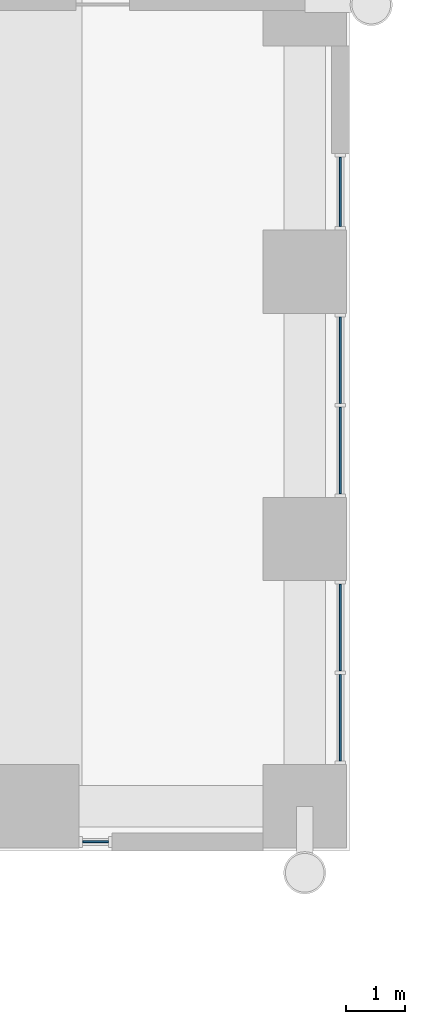
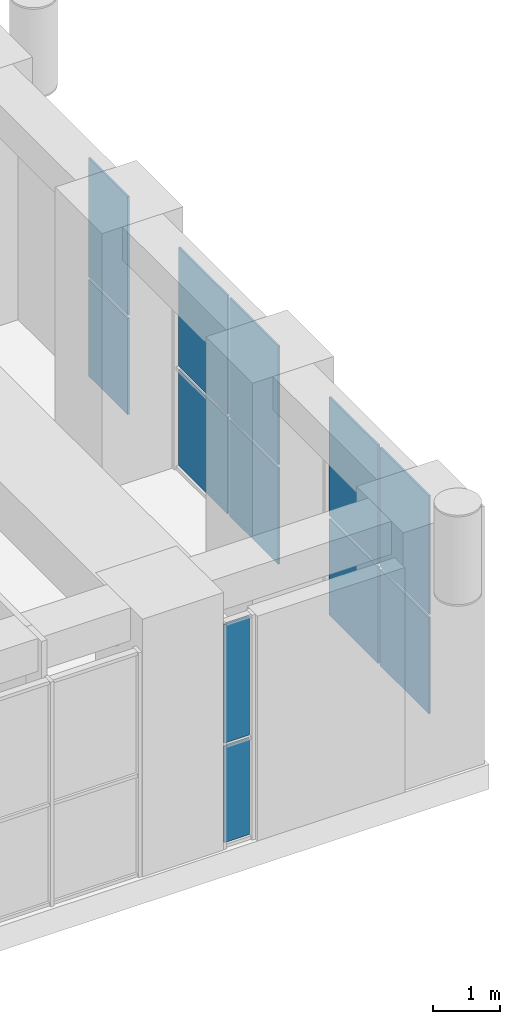
# One storey, part 16 of 35: 12 plates, 4 elements without a shape of their own.
"""IFC4 building model written with IfcOpenShell, lengths in metres."""

from ifc_helpers import new_model, si_unit, direction, frame, origin, origin_2d, place, context, subcontext, project, spatial, rectangle, extrude, material, layer, layer_set, type_object, element, aggregate, save


model = new_model("IFC4")

# Units and contexts
model_context = context("Model", 3, precision=1e-05, world=origin(), true_north=direction((0.0, 1.0)))
body_context = subcontext(model_context, "Body", "Model", "MODEL_VIEW")
ifc_project = project(units=[si_unit("LENGTHUNIT", "METRE"), si_unit("AREAUNIT", "SQUARE_METRE"), si_unit("VOLUMEUNIT", "CUBIC_METRE"), si_unit("PLANEANGLEUNIT", "RADIAN"), si_unit("MASSUNIT", "GRAM", prefix="KILO")], contexts=[model_context])

# Site, building, storey
site_placement = place(None, origin())
site = spatial("IfcSite", under=ifc_project, at=site_placement, CompositionType="ELEMENT")
building_placement = place(site_placement, origin())
building = spatial("IfcBuilding", under=site, at=building_placement, Name="Firuza Court", CompositionType="ELEMENT")
storey_placement = place(building_placement, frame((0.0, 0.0, 24.0)))
storey = spatial("IfcBuildingStorey", under=building, at=storey_placement, Name="L04", CompositionType="ELEMENT", Elevation=24.0)

# Curtain wall, plates
ifc_material_1 = material(Name="Aluminium curtain wall, triple clear glazing", Category="aluminium")
curtain_wall_type = type_object("IfcCurtainWallType", Name="Podium unitised curtain wall CW1", PredefinedType="NOTDEFINED", material=ifc_material_1)
curtain_wall_1_placement = place(storey_placement, origin())
curtain_wall_1 = element("IfcCurtainWall", 1, at=curtain_wall_1_placement, inside=storey, type_object=curtain_wall_type, Name="Podium unitised curtain wall CW1 L04", PredefinedType="NOTDEFINED")
ifc_material_2 = material(Name="Triple clear glazing", Category="glass")
ifc_layer = layer(ifc_material_2, 0.031982421875)
ifc_layer_set = layer_set([ifc_layer], Name="Triple clear glazing")
plate_type = type_object("IfcPlateType", Name="Glazed panel 32 CW1", PredefinedType="CURTAIN_PANEL", material=ifc_layer_set)
plate_1_placement = place(storey_placement, frame((63.978515625, 35.39990234375, 0.06005859375), z_axis=(0.0, 0.0, 1.0), x_axis=(1.0, 0.0, 0.0)))
plate_1 = element("IfcPlate", 2, at=plate_1_placement, type_object=plate_type, Name="CW1 panel 1.1", PredefinedType="CURTAIN_PANEL", context=body_context, shape_type="SweptSolid", body=[
    extrude(rectangle(XDim=0.436767578125, YDim=0.031982421875, at=origin_2d()), origin(), (0.0, 0.0, 1.0), 1.7548828125),
])
plate_2_placement = place(storey_placement, frame((63.978515625, 35.39990234375, 1.875), z_axis=(0.0, 0.0, 1.0), x_axis=(1.0, 0.0, 0.0)))
plate_2 = element("IfcPlate", 3, at=plate_2_placement, type_object=plate_type, Name="CW1 panel 1.2", PredefinedType="CURTAIN_PANEL", context=body_context, shape_type="SweptSolid", body=[
    extrude(rectangle(XDim=0.436767578125, YDim=0.031982421875, at=origin_2d()), origin(), (0.0, 0.0, 1.0), 2.1650390625),
])
aggregate(curtain_wall_1, [plate_1, plate_2])

curtain_wall_2_placement = place(storey_placement, origin())
curtain_wall_2 = element("IfcCurtainWall", 4, at=curtain_wall_2_placement, inside=storey, type_object=curtain_wall_type, Name="Podium unitised curtain wall CW1 L04", PredefinedType="NOTDEFINED")
plate_3_placement = place(storey_placement, frame((68.10009765625, 37.489990234375, 0.06005859375), z_axis=(0.0, 0.0, 1.0), x_axis=(0.0, 1.0, 0.0)))
plate_3 = element("IfcPlate", 5, at=plate_3_placement, type_object=plate_type, Name="CW1 panel 1.1", PredefinedType="CURTAIN_PANEL", context=body_context, shape_type="SweptSolid", body=[
    extrude(rectangle(XDim=1.4599609375, YDim=0.031982421875, at=origin_2d()), origin(), (0.0, 0.0, 1.0), 1.7548828125),
])
plate_4_placement = place(storey_placement, frame((68.10009765625, 37.489990234375, 1.875), z_axis=(0.0, 0.0, 1.0), x_axis=(0.0, 1.0, 0.0)))
plate_4 = element("IfcPlate", 6, at=plate_4_placement, type_object=plate_type, Name="CW1 panel 1.2", PredefinedType="CURTAIN_PANEL", context=body_context, shape_type="SweptSolid", body=[
    extrude(rectangle(XDim=1.4599609375, YDim=0.031982421875, at=origin_2d()), origin(), (0.0, 0.0, 1.0), 2.1650390625),
])
plate_5_placement = place(storey_placement, frame((68.10009765625, 39.010009765625, 0.06005859375), z_axis=(0.0, 0.0, 1.0), x_axis=(0.0, 1.0, 0.0)))
plate_5 = element("IfcPlate", 7, at=plate_5_placement, type_object=plate_type, Name="CW1 panel 2.1", PredefinedType="CURTAIN_PANEL", context=body_context, shape_type="SweptSolid", body=[
    extrude(rectangle(XDim=1.4599609375, YDim=0.031982421875, at=origin_2d()), origin(), (0.0, 0.0, 1.0), 1.7548828125),
])
plate_6_placement = place(storey_placement, frame((68.10009765625, 39.010009765625, 1.875), z_axis=(0.0, 0.0, 1.0), x_axis=(0.0, 1.0, 0.0)))
plate_6 = element("IfcPlate", 8, at=plate_6_placement, type_object=plate_type, Name="CW1 panel 2.2", PredefinedType="CURTAIN_PANEL", context=body_context, shape_type="SweptSolid", body=[
    extrude(rectangle(XDim=1.4599609375, YDim=0.031982421875, at=origin_2d()), origin(), (0.0, 0.0, 1.0), 2.1650390625),
])
aggregate(curtain_wall_2, [plate_3, plate_4, plate_5, plate_6])

curtain_wall_3_placement = place(storey_placement, origin())
curtain_wall_3 = element("IfcCurtainWall", 9, at=curtain_wall_3_placement, inside=storey, type_object=curtain_wall_type, Name="Podium unitised curtain wall CW1 L04", PredefinedType="NOTDEFINED")
plate_7_placement = place(storey_placement, frame((68.10009765625, 41.989990234375, 0.06005859375), z_axis=(0.0, 0.0, 1.0), x_axis=(0.0, 1.0, 0.0)))
plate_7 = element("IfcPlate", 10, at=plate_7_placement, type_object=plate_type, Name="CW1 panel 1.1", PredefinedType="CURTAIN_PANEL", context=body_context, shape_type="SweptSolid", body=[
    extrude(rectangle(XDim=1.4599609375, YDim=0.031982421875, at=origin_2d()), origin(), (0.0, 0.0, 1.0), 1.7548828125),
])
plate_8_placement = place(storey_placement, frame((68.10009765625, 41.989990234375, 1.875), z_axis=(0.0, 0.0, 1.0), x_axis=(0.0, 1.0, 0.0)))
plate_8 = element("IfcPlate", 11, at=plate_8_placement, type_object=plate_type, Name="CW1 panel 1.2", PredefinedType="CURTAIN_PANEL", context=body_context, shape_type="SweptSolid", body=[
    extrude(rectangle(XDim=1.4599609375, YDim=0.031982421875, at=origin_2d()), origin(), (0.0, 0.0, 1.0), 2.1650390625),
])
plate_9_placement = place(storey_placement, frame((68.10009765625, 43.510009765625, 0.06005859375), z_axis=(0.0, 0.0, 1.0), x_axis=(0.0, 1.0, 0.0)))
plate_9 = element("IfcPlate", 12, at=plate_9_placement, type_object=plate_type, Name="CW1 panel 2.1", PredefinedType="CURTAIN_PANEL", context=body_context, shape_type="SweptSolid", body=[
    extrude(rectangle(XDim=1.4599609375, YDim=0.031982421875, at=origin_2d()), origin(), (0.0, 0.0, 1.0), 1.7548828125),
])
plate_10_placement = place(storey_placement, frame((68.10009765625, 43.510009765625, 1.875), z_axis=(0.0, 0.0, 1.0), x_axis=(0.0, 1.0, 0.0)))
plate_10 = element("IfcPlate", 13, at=plate_10_placement, type_object=plate_type, Name="CW1 panel 2.2", PredefinedType="CURTAIN_PANEL", context=body_context, shape_type="SweptSolid", body=[
    extrude(rectangle(XDim=1.4599609375, YDim=0.031982421875, at=origin_2d()), origin(), (0.0, 0.0, 1.0), 2.1650390625),
])
aggregate(curtain_wall_3, [plate_7, plate_8, plate_9, plate_10])

curtain_wall_4_placement = place(storey_placement, origin())
curtain_wall_4 = element("IfcCurtainWall", 14, at=curtain_wall_4_placement, inside=storey, type_object=curtain_wall_type, Name="Podium unitised curtain wall CW1 L04", PredefinedType="NOTDEFINED")
plate_11_placement = place(storey_placement, frame((68.10009765625, 46.345458984375, 0.06005859375), z_axis=(0.0, 0.0, 1.0), x_axis=(0.0, 1.0, 0.0)))
plate_11 = element("IfcPlate", 15, at=plate_11_placement, type_object=plate_type, Name="CW1 panel 1.1", PredefinedType="CURTAIN_PANEL", context=body_context, shape_type="SweptSolid", body=[
    extrude(rectangle(XDim=1.1708984375, YDim=0.031982421875, at=origin_2d()), origin(), (0.0, 0.0, 1.0), 1.7548828125),
])
plate_12_placement = place(storey_placement, frame((68.10009765625, 46.345458984375, 1.875), z_axis=(0.0, 0.0, 1.0), x_axis=(0.0, 1.0, 0.0)))
plate_12 = element("IfcPlate", 16, at=plate_12_placement, type_object=plate_type, Name="CW1 panel 1.2", PredefinedType="CURTAIN_PANEL", context=body_context, shape_type="SweptSolid", body=[
    extrude(rectangle(XDim=1.1708984375, YDim=0.031982421875, at=origin_2d()), origin(), (0.0, 0.0, 1.0), 2.1650390625),
])
aggregate(curtain_wall_4, [plate_11, plate_12])

save(model, "model.ifc")
